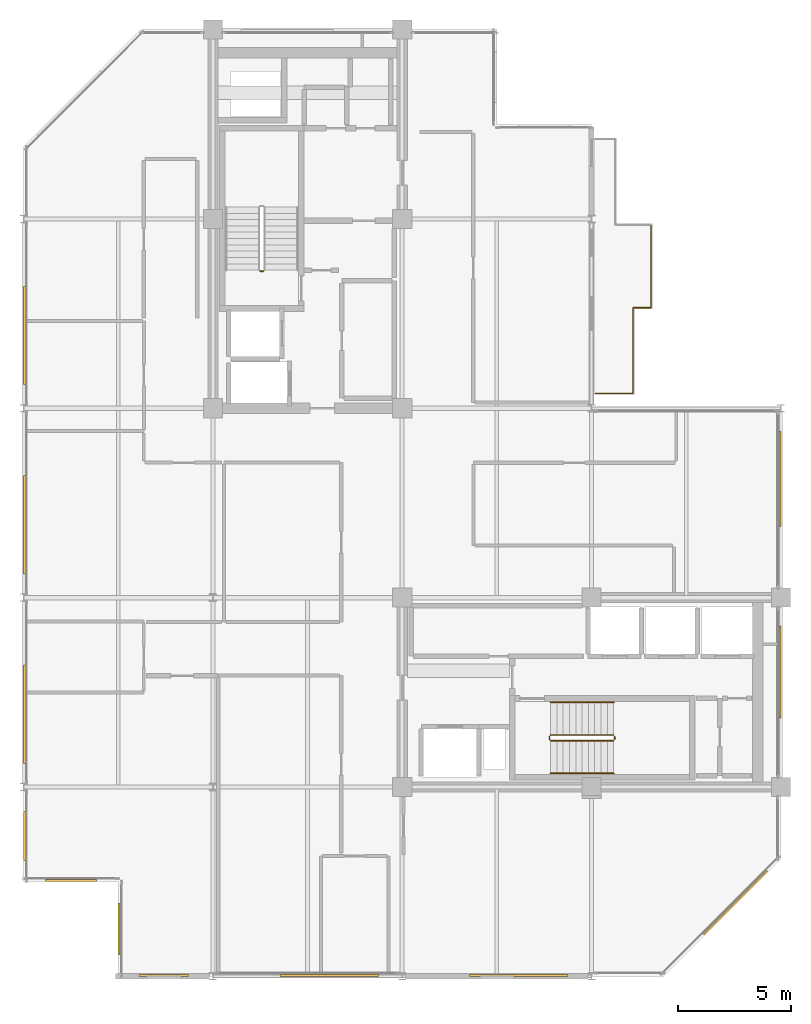
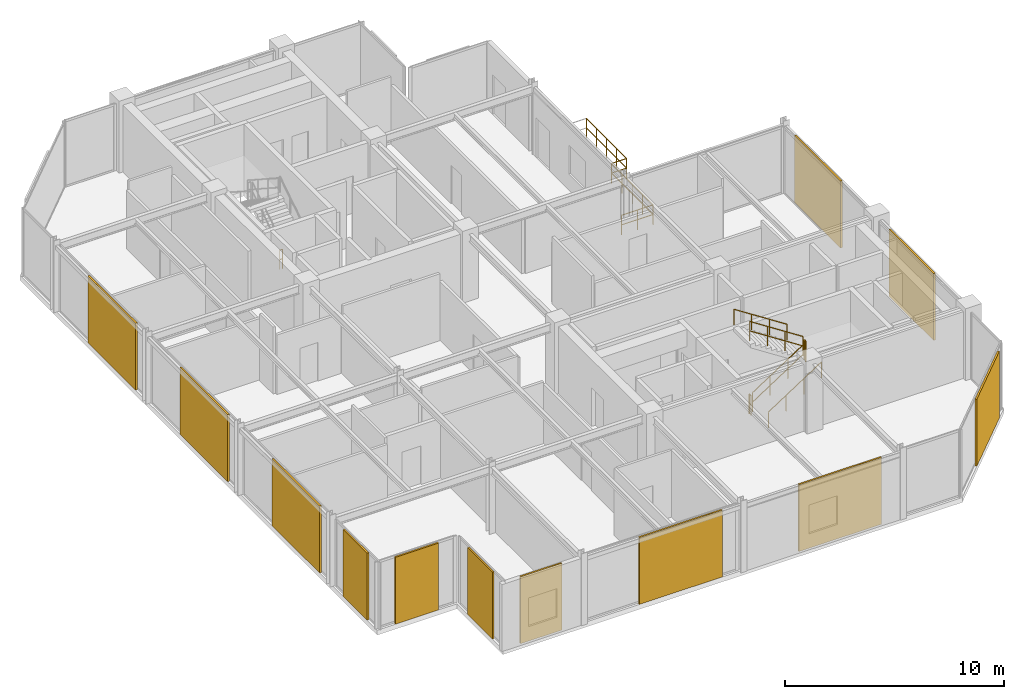
# One storey, part 23 of 24: 12 coverings, 11 railings.
"""IFC4 building model written with IfcOpenShell, lengths in metres."""

from ifc_helpers import new_model, si_unit, direction, frame, origin, origin_2d, place, context, subcontext, project, spatial, rectangle, circle, extrude, material, layer, layer_set, type_object, element, save


model = new_model("IFC4")

# Units and contexts
model_context = context("Model", 3, precision=1e-05, world=origin(), true_north=direction((0.0, 1.0)))
body_context = subcontext(model_context, "Body", "Model", "MODEL_VIEW")
ifc_project = project(units=[si_unit("LENGTHUNIT", "METRE"), si_unit("AREAUNIT", "SQUARE_METRE"), si_unit("VOLUMEUNIT", "CUBIC_METRE"), si_unit("PLANEANGLEUNIT", "RADIAN"), si_unit("MASSUNIT", "GRAM", prefix="KILO")], contexts=[model_context])

# Site, building, storey
site_placement = place(None, origin())
site = spatial("IfcSite", under=ifc_project, at=site_placement, CompositionType="ELEMENT")
building_placement = place(site_placement, origin())
building = spatial("IfcBuilding", under=site, at=building_placement, Name="Nerrivon Quay Data Exchange", CompositionType="ELEMENT")
storey_placement = place(building_placement, frame((0.0, 0.0, 306.199951171875)))
storey = spatial("IfcBuildingStorey", under=building, at=storey_placement, Name="L73", CompositionType="ELEMENT", Elevation=306.199951171875)

# Coverings
ifc_material_1 = material(Name="Architectural terracotta ceramic", Category="masonry")
ifc_layer = layer(ifc_material_1, 0.090087890625)
ifc_layer_set = layer_set([ifc_layer], Name="Architectural terracotta ceramic")
covering_type = type_object("IfcCoveringType", Name="COV-SCR-TERR", PredefinedType="CLADDING", material=ifc_layer_set)
covering_1_placement = place(storey_placement, frame((31.59228515625, 3.255859375, 0.0), z_axis=(0.0, 0.0, 1.0), x_axis=(-0.707106781187, -0.707106781187, 0.0)))
element("IfcCovering", 1, at=covering_1_placement, inside=storey, type_object=covering_type, Name="L73 Perforated Terracotta SOLAR SCREEN Cassette", PredefinedType="CLADDING", context=body_context, shape_type="SweptSolid", body=[
    extrude(rectangle(XDim=3.970947265625, YDim=0.090087890625, at=origin_2d()), origin(), (0.0, 0.0, 1.0), 3.72509765625),
])
for number, where, z_axis, x_axis, name in (
    (2, (21.970703125, 0.044921875, 0.0), (0.0, 0.0, 1.0), (-1.0, 0.0, 0.0), "L73 Perforated Terracotta SOLAR SCREEN Cassette"),
    (3, (13.57080078125, 0.044921875, 0.0), (0.0, 0.0, 1.0), (-1.0, 0.0, 0.0), "L73 Perforated Terracotta SOLAR SCREEN Cassette"),
):
    element("IfcCovering", number, at=place(storey_placement, frame(where, z_axis=z_axis, x_axis=x_axis)), inside=storey, type_object=covering_type, Name=name, PredefinedType="CLADDING", context=body_context, shape_type="SweptSolid", body=[
        extrude(rectangle(XDim=4.367919921875, YDim=0.090087890625, at=origin_2d()), origin(), (0.0, 0.0, 1.0), 3.72509765625),
    ])
covering_2_placement = place(storey_placement, frame((6.222412109375, 0.044921875, 0.0), z_axis=(0.0, 0.0, 1.0), x_axis=(-1.0, 0.0, 0.0)))
element("IfcCovering", 4, at=covering_2_placement, inside=storey, type_object=covering_type, Name="L73 Perforated Terracotta SOLAR SCREEN Cassette", PredefinedType="CLADDING", context=body_context, shape_type="SweptSolid", body=[
    extrude(rectangle(XDim=2.18408203125, YDim=0.090087890625, at=origin_2d()), origin(), (0.0, 0.0, 1.0), 3.72509765625),
])
for number, where, z_axis, x_axis, name in (
    (5, (4.2451171875, 2.10009765625, 0.0), (0.0, 0.0, 1.0), (0.0, 1.0, 0.0), "L73 Perforated Terracotta SOLAR SCREEN Cassette"),
    (6, (2.10009765625, 4.2451171875, 0.0), (0.0, 0.0, 1.0), (-1.0, 0.0, 0.0), "L73 Perforated Terracotta SOLAR SCREEN Cassette"),
):
    element("IfcCovering", number, at=place(storey_placement, frame(where, z_axis=z_axis, x_axis=x_axis)), inside=storey, type_object=covering_type, Name=name, PredefinedType="CLADDING", context=body_context, shape_type="SweptSolid", body=[
        extrude(rectangle(XDim=2.26806640625, YDim=0.090087890625, at=origin_2d()), origin(), (0.0, 0.0, 1.0), 3.72509765625),
    ])
covering_3_placement = place(storey_placement, frame((0.044921875, 6.21826171875, 0.0), z_axis=(0.0, 0.0, 1.0), x_axis=(0.0, 1.0, 0.0)))
element("IfcCovering", 7, at=covering_3_placement, inside=storey, type_object=covering_type, Name="L73 Perforated Terracotta SOLAR SCREEN Cassette", PredefinedType="CLADDING", context=body_context, shape_type="SweptSolid", body=[
    extrude(rectangle(XDim=2.179931640625, YDim=0.090087890625, at=origin_2d()), origin(), (0.0, 0.0, 1.0), 3.72509765625),
])
for number, where, z_axis, x_axis, name in (
    (8, (0.044921875, 11.631103515625, 0.0), (0.0, 0.0, 1.0), (0.0, 1.0, 0.0), "L73 Perforated Terracotta SOLAR SCREEN Cassette"),
    (9, (0.044921875, 20.03125, 0.0), (0.0, 0.0, 1.0), (0.0, 1.0, 0.0), "L73 Perforated Terracotta SOLAR SCREEN Cassette"),
    (10, (0.044921875, 28.43115234375, 0.0), (0.0, 0.0, 1.0), (0.0, 1.0, 0.0), "L73 Perforated Terracotta SOLAR SCREEN Cassette"),
):
    element("IfcCovering", number, at=place(storey_placement, frame(where, z_axis=z_axis, x_axis=x_axis)), inside=storey, type_object=covering_type, Name=name, PredefinedType="CLADDING", context=body_context, shape_type="SweptSolid", body=[
        extrude(rectangle(XDim=4.35888671875, YDim=0.090087890625, at=origin_2d()), origin(), (0.0, 0.0, 1.0), 3.72509765625),
    ])
covering_4_placement = place(storey_placement, frame((33.554931640625, 22.068115234375, 0.0), z_axis=(0.0, 0.0, 1.0), x_axis=(0.0, -1.0, 0.0)))
element("IfcCovering", 11, at=covering_4_placement, inside=storey, type_object=covering_type, Name="L73 Perforated Terracotta SOLAR SCREEN Cassette", PredefinedType="CLADDING", context=body_context, shape_type="SweptSolid", body=[
    extrude(rectangle(XDim=4.218017578125, YDim=0.090087890625, at=origin_2d()), origin(), (0.0, 0.0, 1.0), 3.72509765625),
])
covering_5_placement = place(storey_placement, frame((33.554931640625, 13.506103515625, 0.0), z_axis=(0.0, 0.0, 1.0), x_axis=(0.0, -1.0, 0.0)))
element("IfcCovering", 12, at=covering_5_placement, inside=storey, type_object=covering_type, Name="L73 Perforated Terracotta SOLAR SCREEN Cassette", PredefinedType="CLADDING", context=body_context, shape_type="SweptSolid", body=[
    extrude(rectangle(XDim=4.076904296875, YDim=0.090087890625, at=origin_2d()), origin(), (0.0, 0.0, 1.0), 3.72509765625),
])

# Railings
ifc_material_2 = material(Name="Steel Grade C350L0 (350 MPa)", Category="steel")
railing_type_1 = type_object("IfcRailingType", Name="RAIL-GUARD-GR2", PredefinedType="BALUSTRADE", material=ifc_material_2)
railing_1_placement = place(storey_placement, frame((27.0400390625, 29.659912109375, 0.0)))
element("IfcRailing", 13, at=railing_1_placement, inside=storey, type_object=railing_type_1, Name="L73 Verandah Balcony Guard 1.1 1", PredefinedType="BALUSTRADE", context=body_context, shape_type="SweptSolid", body=[
    extrude(circle(Radius=0.02392578125, at=origin_2d()), frame((0.0, 0.0, 1.09619140625), z_axis=(0.0, -1.0, 0.0), x_axis=(1.0, 0.0, 0.0)), (0.0, 0.0, 1.0), 3.7998046875),
    extrude(circle(Radius=0.02392578125, at=origin_2d()), frame((0.0, 0.0, 0.56005859375), z_axis=(0.0, -1.0, 0.0), x_axis=(1.0, 0.0, 0.0)), (0.0, 0.0, 1.0), 3.7998046875),
    extrude(circle(Radius=0.02099609375, at=origin_2d()), origin(), (0.0, 0.0, 1.0), 1.072021484375),
    extrude(circle(Radius=0.02099609375, at=origin_2d()), frame((0.0, -0.949951171875, 0.0)), (0.0, 0.0, 1.0), 1.072021484375),
    extrude(circle(Radius=0.02099609375, at=origin_2d()), frame((0.0, -1.89990234375, 0.0)), (0.0, 0.0, 1.0), 1.072021484375),
    extrude(circle(Radius=0.02099609375, at=origin_2d()), frame((0.0, -2.849853515625, 0.0)), (0.0, 0.0, 1.0), 1.072021484375),
    extrude(circle(Radius=0.02099609375, at=origin_2d()), frame((0.0, -3.7998046875, 0.0)), (0.0, 0.0, 1.0), 1.072021484375),
])
railing_2_placement = place(storey_placement, frame((27.0400390625, 25.860107421875, 0.0)))
element("IfcRailing", 14, at=railing_2_placement, inside=storey, type_object=railing_type_1, Name="L73 Verandah Balcony Guard 1.2 1", PredefinedType="BALUSTRADE", context=body_context, shape_type="SweptSolid", body=[
    extrude(circle(Radius=0.02392578125, at=origin_2d()), frame((0.0, 0.0, 1.09619140625), z_axis=(-1.0, 0.0, 0.0), x_axis=(0.0, -1.0, 0.0)), (0.0, 0.0, 1.0), 1.66015625),
    extrude(circle(Radius=0.02392578125, at=origin_2d()), frame((0.0, 0.0, 0.56005859375), z_axis=(-1.0, 0.0, 0.0), x_axis=(0.0, -1.0, 0.0)), (0.0, 0.0, 1.0), 1.66015625),
    extrude(circle(Radius=0.02099609375, at=origin_2d()), origin(), (0.0, 0.0, 1.0), 1.072021484375),
    extrude(circle(Radius=0.02099609375, at=origin_2d()), frame((-0.830078125, 0.0, 0.0)), (0.0, 0.0, 1.0), 1.072021484375),
    extrude(circle(Radius=0.02099609375, at=origin_2d()), frame((-1.66015625, 0.0, 0.0)), (0.0, 0.0, 1.0), 1.072021484375),
])
railing_3_placement = place(storey_placement, frame((27.840087890625, 33.340087890625, 0.0)))
element("IfcRailing", 15, at=railing_3_placement, inside=storey, type_object=railing_type_1, Name="L73 Verandah Balcony Guard 1.6 1", PredefinedType="BALUSTRADE", context=body_context, shape_type="SweptSolid", body=[
    extrude(circle(Radius=0.02392578125, at=origin_2d()), frame((0.0, 0.0, 1.09619140625), z_axis=(0.0, -1.0, 0.0), x_axis=(1.0, 0.0, 0.0)), (0.0, 0.0, 1.0), 3.68017578125),
    extrude(circle(Radius=0.02392578125, at=origin_2d()), frame((0.0, 0.0, 0.56005859375), z_axis=(0.0, -1.0, 0.0), x_axis=(1.0, 0.0, 0.0)), (0.0, 0.0, 1.0), 3.68017578125),
    extrude(circle(Radius=0.02099609375, at=origin_2d()), origin(), (0.0, 0.0, 1.0), 1.072021484375),
    extrude(circle(Radius=0.02099609375, at=origin_2d()), frame((0.0, -0.919921875, 0.0)), (0.0, 0.0, 1.0), 1.072021484375),
    extrude(circle(Radius=0.02099609375, at=origin_2d()), frame((0.0, -1.840087890625, 0.0)), (0.0, 0.0, 1.0), 1.072021484375),
    extrude(circle(Radius=0.02099609375, at=origin_2d()), frame((0.0, -2.76025390625, 0.0)), (0.0, 0.0, 1.0), 1.072021484375),
    extrude(circle(Radius=0.02099609375, at=origin_2d()), frame((0.0, -3.68017578125, 0.0)), (0.0, 0.0, 1.0), 1.072021484375),
])
railing_4_placement = place(storey_placement, frame((27.840087890625, 29.659912109375, 0.0)))
element("IfcRailing", 16, at=railing_4_placement, inside=storey, type_object=railing_type_1, Name="L73 Verandah Balcony Guard 1.7 1", PredefinedType="BALUSTRADE", context=body_context, shape_type="SweptSolid", body=[
    extrude(circle(Radius=0.02392578125, at=origin_2d()), frame((0.0, 0.0, 1.09619140625), z_axis=(-1.0, 0.0, 0.0), x_axis=(0.0, -1.0, 0.0)), (0.0, 0.0, 1.0), 0.800048828125),
    extrude(circle(Radius=0.02392578125, at=origin_2d()), frame((0.0, 0.0, 0.56005859375), z_axis=(-1.0, 0.0, 0.0), x_axis=(0.0, -1.0, 0.0)), (0.0, 0.0, 1.0), 0.800048828125),
    extrude(circle(Radius=0.02099609375, at=origin_2d()), origin(), (0.0, 0.0, 1.0), 1.072021484375),
    extrude(circle(Radius=0.02099609375, at=origin_2d()), frame((-0.800048828125, 0.0, 0.0)), (0.0, 0.0, 1.0), 1.072021484375),
])
railing_type_2 = type_object("IfcRailingType", Name="RAIL-HAND-HR1", PredefinedType="HANDRAIL", material=ifc_material_2)
railing_5_placement = place(storey_placement, frame((23.3798828125, 9.0, 0.181884765625)))
element("IfcRailing", 17, at=railing_5_placement, inside=storey, type_object=railing_type_2, Name="L73 ST02 stair handrail 1", PredefinedType="HANDRAIL", context=body_context, shape_type="SweptSolid", body=[
    extrude(circle(Radius=0.02392578125, at=origin_2d()), frame((0.0, 0.0, 0.8759765625), z_axis=(0.838705829183, 0.0, 0.544584733623), x_axis=(0.0, 1.0, 0.0)), (0.0, 0.0, 1.0), 3.338623046875),
    extrude(circle(Radius=0.02099609375, at=origin_2d()), origin(), (0.0, 0.0, 1.0), 0.851806640625),
    extrude(circle(Radius=0.02099609375, at=origin_2d()), frame((0.933349609375, 0.0, 0.60595703125)), (0.0, 0.0, 1.0), 0.851806640625),
    extrude(circle(Radius=0.02099609375, at=origin_2d()), frame((1.86669921875, 0.0, 1.212158203125)), (0.0, 0.0, 1.0), 0.851806640625),
    extrude(circle(Radius=0.02099609375, at=origin_2d()), frame((2.800048828125, 0.0, 1.818115234375)), (0.0, 0.0, 1.0), 0.851806640625),
])
railing_6_placement = place(storey_placement, frame((26.179931640625, 12.14990234375, 2.181884765625)))
element("IfcRailing", 18, at=railing_6_placement, inside=storey, type_object=railing_type_2, Name="L73 ST02 stair handrail 2", PredefinedType="HANDRAIL", context=body_context, shape_type="SweptSolid", body=[
    extrude(circle(Radius=0.02392578125, at=origin_2d()), frame((0.0, 0.0, 0.8759765625), z_axis=(-0.838705829183, 0.0, 0.544584733623), x_axis=(0.0, -1.0, 0.0)), (0.0, 0.0, 1.0), 3.338623046875),
    extrude(circle(Radius=0.02099609375, at=origin_2d()), origin(), (0.0, 0.0, 1.0), 0.851806640625),
    extrude(circle(Radius=0.02099609375, at=origin_2d()), frame((-0.933349609375, 0.0, 0.60595703125)), (0.0, 0.0, 1.0), 0.851806640625),
    extrude(circle(Radius=0.02099609375, at=origin_2d()), frame((-1.86669921875, 0.0, 1.212158203125)), (0.0, 0.0, 1.0), 0.851806640625),
    extrude(circle(Radius=0.02099609375, at=origin_2d()), frame((-2.800048828125, 0.0, 1.818115234375)), (0.0, 0.0, 1.0), 0.851806640625),
])
railing_type_3 = type_object("IfcRailingType", Name="RAIL-STAIR-GR1", PredefinedType="BALUSTRADE", material=ifc_material_2)
railing_7_placement = place(storey_placement, frame((10.64990234375, 31.280029296875, 0.0)))
element("IfcRailing", 19, at=railing_7_placement, inside=storey, type_object=railing_type_3, Name="L73 ST01 stair guard 4", PredefinedType="BALUSTRADE", context=body_context, shape_type="SweptSolid", body=[
    extrude(circle(Radius=0.02392578125, at=origin_2d()), frame((0.0, 0.0, 1.076171875), z_axis=(-1.0, 0.0, 0.0), x_axis=(0.0, -1.0, 0.0)), (0.0, 0.0, 1.0), 0.14990234375),
    extrude(circle(Radius=0.02392578125, at=origin_2d()), frame((0.0, 0.0, 0.550048828125), z_axis=(-1.0, 0.0, 0.0), x_axis=(0.0, -1.0, 0.0)), (0.0, 0.0, 1.0), 0.14990234375),
    extrude(circle(Radius=0.02099609375, at=origin_2d()), origin(), (0.0, 0.0, 1.0), 1.052001953125),
    extrude(circle(Radius=0.02099609375, at=origin_2d()), frame((-0.14990234375, 0.0, 0.0)), (0.0, 0.0, 1.0), 1.052001953125),
])
railing_8_placement = place(storey_placement, frame((23.3798828125, 10.449951171875, 0.181884765625)))
element("IfcRailing", 20, at=railing_8_placement, inside=storey, type_object=railing_type_3, Name="L73 ST02 stair guard 1", PredefinedType="BALUSTRADE", context=body_context, shape_type="SweptSolid", body=[
    extrude(circle(Radius=0.02392578125, at=origin_2d()), frame((0.0, 0.0, 1.076171875), z_axis=(0.838705829183, 0.0, 0.544584733623), x_axis=(0.0, 1.0, 0.0)), (0.0, 0.0, 1.0), 3.338623046875),
    extrude(circle(Radius=0.02392578125, at=origin_2d()), frame((0.0, 0.0, 0.550048828125), z_axis=(0.838705829183, 0.0, 0.544584733623), x_axis=(0.0, 1.0, 0.0)), (0.0, 0.0, 1.0), 3.338623046875),
    extrude(circle(Radius=0.02099609375, at=origin_2d()), origin(), (0.0, 0.0, 1.0), 1.052001953125),
    extrude(circle(Radius=0.02099609375, at=origin_2d()), frame((0.933349609375, 0.0, 0.60595703125)), (0.0, 0.0, 1.0), 1.052001953125),
    extrude(circle(Radius=0.02099609375, at=origin_2d()), frame((1.86669921875, 0.0, 1.212158203125)), (0.0, 0.0, 1.0), 1.052001953125),
    extrude(circle(Radius=0.02099609375, at=origin_2d()), frame((2.800048828125, 0.0, 1.818115234375)), (0.0, 0.0, 1.0), 1.052001953125),
])
railing_9_placement = place(storey_placement, frame((26.22998046875, 10.5, 2.0)))
element("IfcRailing", 21, at=railing_9_placement, inside=storey, type_object=railing_type_3, Name="L73 ST02 stair guard 2", PredefinedType="BALUSTRADE", context=body_context, shape_type="SweptSolid", body=[
    extrude(circle(Radius=0.02392578125, at=origin_2d()), frame((0.0, 0.0, 1.076171875), z_axis=(0.0, 1.0, 0.0), x_axis=(-1.0, 0.0, 0.0)), (0.0, 0.0, 1.0), 0.14990234375),
    extrude(circle(Radius=0.02392578125, at=origin_2d()), frame((0.0, 0.0, 0.550048828125), z_axis=(0.0, 1.0, 0.0), x_axis=(-1.0, 0.0, 0.0)), (0.0, 0.0, 1.0), 0.14990234375),
    extrude(circle(Radius=0.02099609375, at=origin_2d()), origin(), (0.0, 0.0, 1.0), 1.052001953125),
    extrude(circle(Radius=0.02099609375, at=origin_2d()), frame((0.0, 0.14990234375, 0.0)), (0.0, 0.0, 1.0), 1.052001953125),
])
railing_10_placement = place(storey_placement, frame((26.179931640625, 10.699951171875, 2.181884765625)))
element("IfcRailing", 22, at=railing_10_placement, inside=storey, type_object=railing_type_3, Name="L73 ST02 stair guard 3", PredefinedType="BALUSTRADE", context=body_context, shape_type="SweptSolid", body=[
    extrude(circle(Radius=0.02392578125, at=origin_2d()), frame((0.0, 0.0, 1.076171875), z_axis=(-0.838705829183, 0.0, 0.544584733623), x_axis=(0.0, -1.0, 0.0)), (0.0, 0.0, 1.0), 3.338623046875),
    extrude(circle(Radius=0.02392578125, at=origin_2d()), frame((0.0, 0.0, 0.550048828125), z_axis=(-0.838705829183, 0.0, 0.544584733623), x_axis=(0.0, -1.0, 0.0)), (0.0, 0.0, 1.0), 3.338623046875),
    extrude(circle(Radius=0.02099609375, at=origin_2d()), origin(), (0.0, 0.0, 1.0), 1.052001953125),
    extrude(circle(Radius=0.02099609375, at=origin_2d()), frame((-0.933349609375, 0.0, 0.60595703125)), (0.0, 0.0, 1.0), 1.052001953125),
    extrude(circle(Radius=0.02099609375, at=origin_2d()), frame((-1.86669921875, 0.0, 1.212158203125)), (0.0, 0.0, 1.0), 1.052001953125),
    extrude(circle(Radius=0.02099609375, at=origin_2d()), frame((-2.800048828125, 0.0, 1.818115234375)), (0.0, 0.0, 1.0), 1.052001953125),
])
railing_11_placement = place(storey_placement, frame((23.330078125, 10.5, 0.0)))
element("IfcRailing", 23, at=railing_11_placement, inside=storey, type_object=railing_type_3, Name="L73 ST02 stair guard 4", PredefinedType="BALUSTRADE", context=body_context, shape_type="SweptSolid", body=[
    extrude(circle(Radius=0.02392578125, at=origin_2d()), frame((0.0, 0.0, 1.076171875), z_axis=(0.0, 1.0, 0.0), x_axis=(-1.0, 0.0, 0.0)), (0.0, 0.0, 1.0), 0.14990234375),
    extrude(circle(Radius=0.02392578125, at=origin_2d()), frame((0.0, 0.0, 0.550048828125), z_axis=(0.0, 1.0, 0.0), x_axis=(-1.0, 0.0, 0.0)), (0.0, 0.0, 1.0), 0.14990234375),
    extrude(circle(Radius=0.02099609375, at=origin_2d()), origin(), (0.0, 0.0, 1.0), 1.052001953125),
    extrude(circle(Radius=0.02099609375, at=origin_2d()), frame((0.0, 0.14990234375, 0.0)), (0.0, 0.0, 1.0), 1.052001953125),
])

save(model, "model.ifc")
